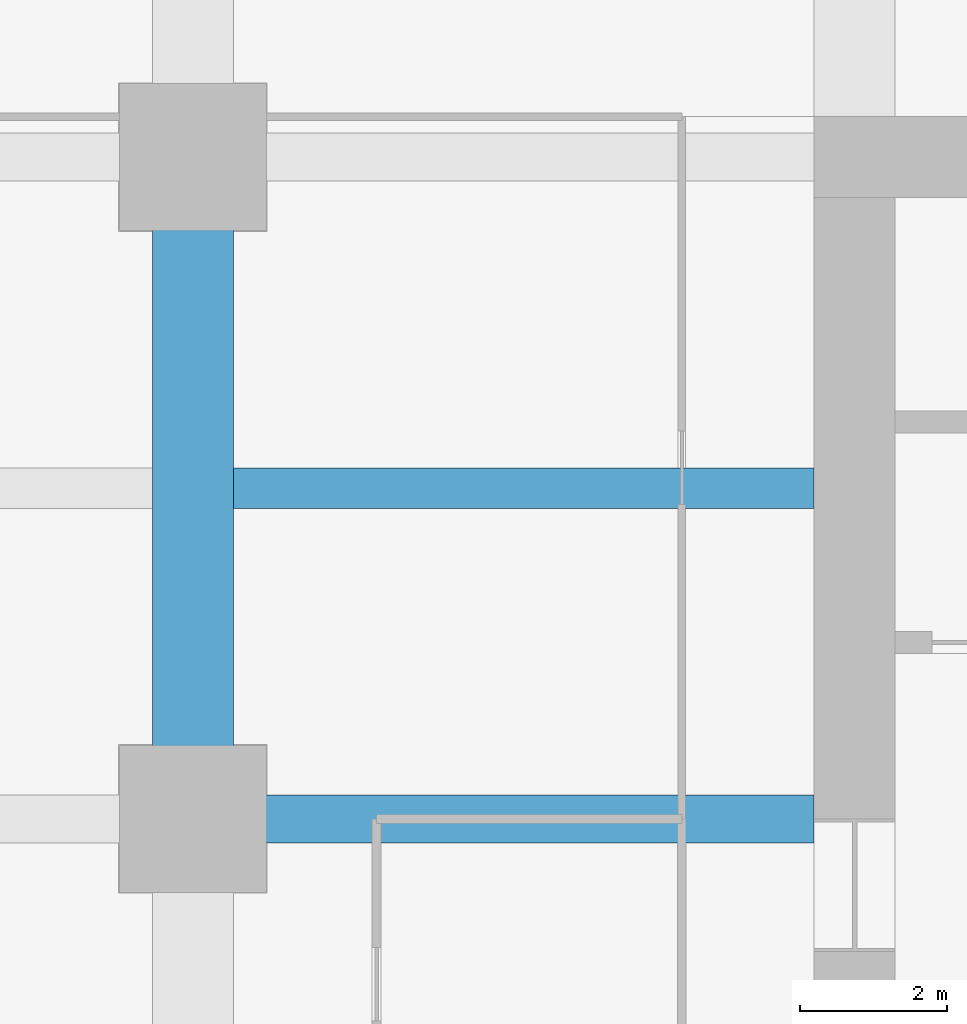
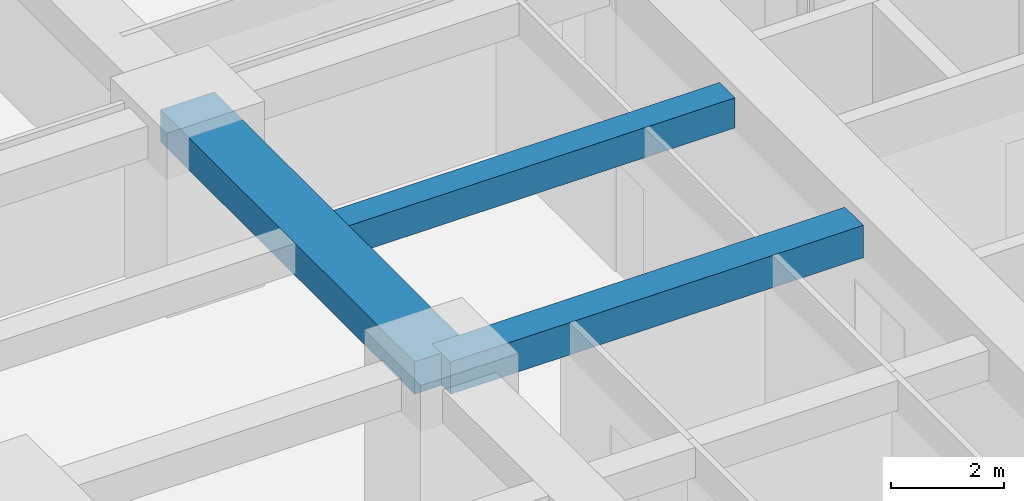
# One storey, part 12 of 41: 3 beams.
"""IFC4 building model written with IfcOpenShell, lengths in metres."""

from ifc_helpers import new_model, si_unit, direction, frame, origin, origin_2d, place, context, subcontext, project, spatial, rectangle, extrude, material, material_profile, profile_set, type_object, element, save


model = new_model("IFC4")

# Units and contexts
model_context = context("Model", 3, precision=1e-05, world=origin(), true_north=direction((0.0, 1.0)))
body_context = subcontext(model_context, "Body", "Model", "MODEL_VIEW")
ifc_project = project(units=[si_unit("LENGTHUNIT", "METRE"), si_unit("AREAUNIT", "SQUARE_METRE"), si_unit("VOLUMEUNIT", "CUBIC_METRE"), si_unit("PLANEANGLEUNIT", "RADIAN"), si_unit("MASSUNIT", "GRAM", prefix="KILO")], contexts=[model_context])

# Site, building, storey
site_placement = place(None, origin())
site = spatial("IfcSite", under=ifc_project, at=site_placement, CompositionType="ELEMENT")
building_placement = place(site_placement, origin())
building = spatial("IfcBuilding", under=site, at=building_placement, Name="Zorevar Civic Tower", CompositionType="ELEMENT")
storey_placement = place(building_placement, frame((0.0, 0.0, 105.0)))
storey = spatial("IfcBuildingStorey", under=building, at=storey_placement, Name="L25", CompositionType="ELEMENT", Elevation=105.0)

# Beams
ifc_material_1 = material(Name="Concrete C50/60", Category="concrete")
ifc_material_profile_1 = material_profile(ifc_material_1, rectangle(XDim=1.10009765625, YDim=0.699951171875, at=origin_2d()), Name="RC 1100x700")
ifc_profile_set_1 = profile_set([ifc_material_profile_1], Name="Concrete C50/60")
beam_type_1 = type_object("IfcBeamType", Name="Beam RC 1100x700", PredefinedType="BEAM", material=ifc_profile_set_1)
beam_1_placement = place(storey_placement, frame((9.0, 27.0, 3.39990234375), z_axis=(0.0, 1.0, 0.0), x_axis=(-1.0, 0.0, 0.0)))
element("IfcBeam", 1, at=beam_1_placement, inside=storey, type_object=beam_type_1, Name="Girder L26", PredefinedType="BEAM", context=body_context, shape_type="SweptSolid", body=[
    extrude(rectangle(XDim=1.10009765625, YDim=0.699951171875, at=origin_2d()), origin(), (0.0, 0.0, 1.0), 9.0),
])
ifc_material_2 = material(Name="Concrete C50/60", Category="concrete")
ifc_material_profile_2 = material_profile(ifc_material_2, rectangle(XDim=0.550048828125, YDim=0.64990234375, at=origin_2d()), Name="RC 550x650")
ifc_profile_set_2 = profile_set([ifc_material_profile_2], Name="Concrete C50/60")
beam_type_2 = type_object("IfcBeamType", Name="Beam RC 550x650", PredefinedType="BEAM", material=ifc_profile_set_2)
beam_2_placement = place(storey_placement, frame((9.550048828125, 31.5, 3.425048828125), z_axis=(1.0, 0.0, 0.0), x_axis=(0.0, 1.0, 0.0)))
element("IfcBeam", 2, at=beam_2_placement, inside=storey, type_object=beam_type_2, Name="Secondary beam L26", PredefinedType="BEAM", context=body_context, shape_type="SweptSolid", body=[
    extrude(rectangle(XDim=0.550048828125, YDim=0.64990234375, at=origin_2d()), origin(), (0.0, 0.0, 1.0), 7.89990234375),
])
ifc_material_3 = material(Name="Concrete C50/60", Category="concrete")
ifc_material_profile_3 = material_profile(ifc_material_3, rectangle(XDim=0.64990234375, YDim=0.699951171875, at=origin_2d()), Name="RC 650x700")
ifc_profile_set_3 = profile_set([ifc_material_profile_3], Name="Concrete C50/60")
beam_type_3 = type_object("IfcBeamType", Name="Beam RC 650x700", PredefinedType="BEAM", material=ifc_profile_set_3)
beam_3_placement = place(storey_placement, frame((9.0, 27.0, 3.39990234375), z_axis=(1.0, 0.0, 0.0), x_axis=(0.0, 1.0, 0.0)))
element("IfcBeam", 3, at=beam_3_placement, inside=storey, type_object=beam_type_3, Name="Girder L26", PredefinedType="BEAM", context=body_context, shape_type="SweptSolid", body=[
    extrude(rectangle(XDim=0.64990234375, YDim=0.699951171875, at=origin_2d()), origin(), (0.0, 0.0, 1.0), 8.449951171875),
])

save(model, "model.ifc")
